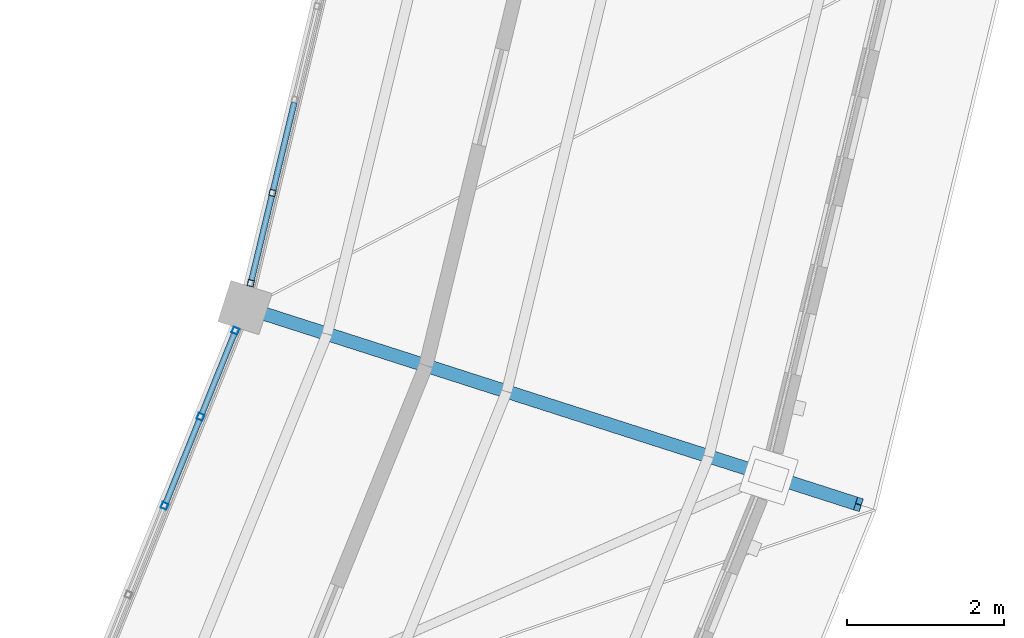
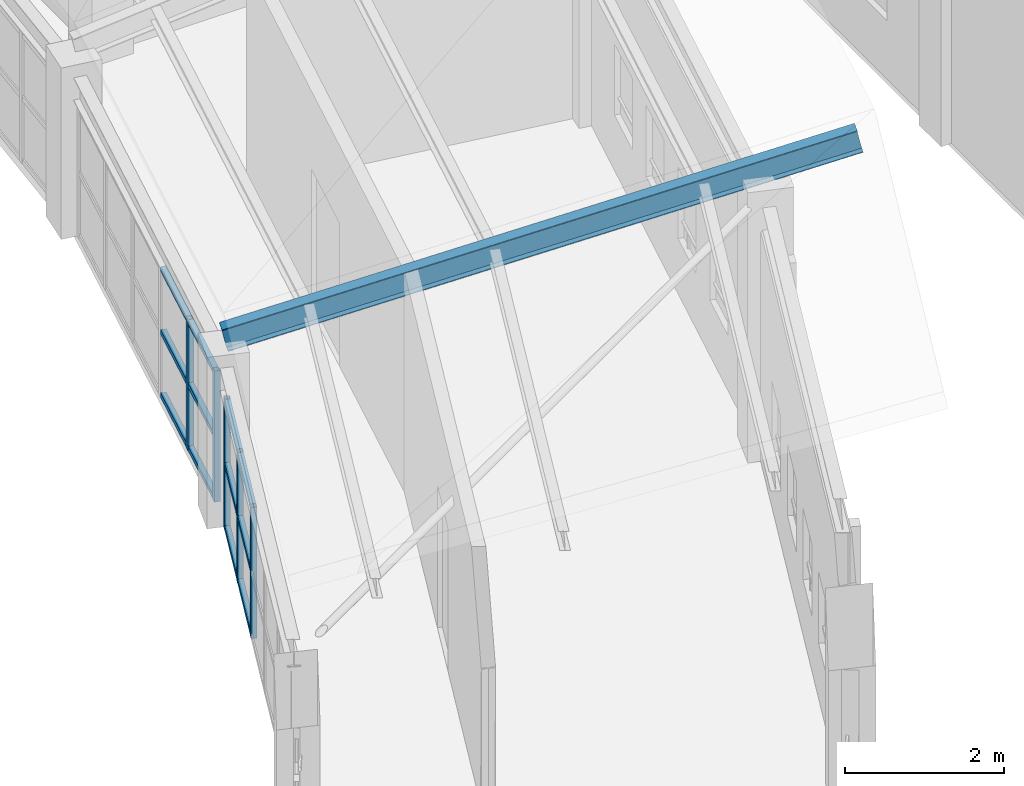
# One storey, part 89 of 149: 18 members, 2 elements without a shape of their own.
"""IFC4 building model written with IfcOpenShell, lengths in metres."""

from ifc_helpers import new_model, si_unit, direction, frame, origin, origin_2d, place, context, subcontext, project, spatial, hollow_rectangle, i_section, extrude, material, material_profile, profile_set, type_object, element, aggregate, save


model = new_model("IFC4")

# Units and contexts
model_context = context("Model", 3, precision=1e-05, world=origin(), true_north=direction((0.0, 1.0)))
body_context = subcontext(model_context, "Body", "Model", "MODEL_VIEW")
ifc_project = project(units=[si_unit("LENGTHUNIT", "METRE"), si_unit("AREAUNIT", "SQUARE_METRE"), si_unit("VOLUMEUNIT", "CUBIC_METRE"), si_unit("PLANEANGLEUNIT", "RADIAN"), si_unit("MASSUNIT", "GRAM", prefix="KILO")], contexts=[model_context])

# Site, building, storey
site_placement = place(None, origin())
site = spatial("IfcSite", under=ifc_project, at=site_placement, CompositionType="ELEMENT")
building_placement = place(site_placement, origin())
building = spatial("IfcBuilding", under=site, at=building_placement, Name="Celadon Cloister-Ring School", CompositionType="ELEMENT")
storey_placement = place(building_placement, frame((0.0, 0.0, 12.5)))
storey = spatial("IfcBuildingStorey", under=building, at=storey_placement, Name="L03", CompositionType="ELEMENT", Elevation=12.5)

# Curtain wall, members
ifc_material_1 = material(Name="Aluminium EN AW-6063 T6", Category="aluminium")
curtain_wall_type = type_object("IfcCurtainWallType", Name="CW-02", PredefinedType="USERDEFINED", material=ifc_material_1)
curtain_wall_1_placement = place(storey_placement, origin())
curtain_wall_1 = element("IfcCurtainWall", 1, at=curtain_wall_1_placement, inside=storey, type_object=curtain_wall_type, Name="Curtain Wall 0069", ObjectType="CURTAIN WALL", PredefinedType="USERDEFINED")
ifc_material_2 = material(Name="Aluminium EN AW-6063 T6", Category="aluminium")
ifc_material_profile_1 = material_profile(ifc_material_2, hollow_rectangle(XDim=0.080078125, YDim=0.080078125, WallThickness=0.00390625, at=origin_2d()), Name="RHS80X80X4")
ifc_profile_set_1 = profile_set([ifc_material_profile_1], Name="Aluminium EN AW-6063 T6")
member_type_1 = type_object("IfcMemberType", Name="CM-03", PredefinedType="MULLION", material=ifc_profile_set_1)
member_1_placement = place(storey_placement, frame((128.82861328125, 42.732421875, 0.0), z_axis=(0.0, 0.0, 1.0), x_axis=(-0.927036236266, 0.37497175447, 0.0)))
member_1 = element("IfcMember", 2, at=member_1_placement, type_object=member_type_1, Name="CW-02 mullion 4", PredefinedType="MULLION", context=body_context, shape_type="SweptSolid", body=[
    extrude(hollow_rectangle(XDim=0.080078125, YDim=0.080078125, WallThickness=0.00390625, at=origin_2d()), origin(), (0.0, 0.0, 1.0), 2.02001953125),
])
member_2_placement = place(storey_placement, frame((129.286865234375, 43.865234375, 0.0), z_axis=(0.0, 0.0, 1.0), x_axis=(-0.927036236266, 0.37497175447, 0.0)))
member_2 = element("IfcMember", 3, at=member_2_placement, type_object=member_type_1, Name="CW-02 mullion 5", PredefinedType="MULLION", context=body_context, shape_type="SweptSolid", body=[
    extrude(hollow_rectangle(XDim=0.080078125, YDim=0.080078125, WallThickness=0.00390625, at=origin_2d()), origin(), (0.0, 0.0, 1.0), 2.02001953125),
])
member_3_placement = place(storey_placement, frame((129.72998046875, 44.9609375, 0.0), z_axis=(0.0, 0.0, 1.0), x_axis=(-0.927036236266, 0.37497175447, 0.0)))
member_3 = element("IfcMember", 4, at=member_3_placement, type_object=member_type_1, Name="CW-02 mullion 6", PredefinedType="MULLION", context=body_context, shape_type="SweptSolid", body=[
    extrude(hollow_rectangle(XDim=0.080078125, YDim=0.080078125, WallThickness=0.00390625, at=origin_2d()), origin(), (0.0, 0.0, 1.0), 2.02001953125),
])

curtain_wall_2_placement = place(storey_placement, origin())
curtain_wall_2 = element("IfcCurtainWall", 5, at=curtain_wall_2_placement, inside=storey, type_object=curtain_wall_type, Name="Curtain Wall 0070", ObjectType="CURTAIN WALL", PredefinedType="USERDEFINED")
member_4_placement = place(storey_placement, frame((129.92431640625, 45.56591796875, 0.0), z_axis=(0.0, 0.0, 1.0), x_axis=(-0.972214668757, 0.234091088797, 0.0)))
member_4 = element("IfcMember", 6, at=member_4_placement, type_object=member_type_1, Name="CW-02 mullion 1", PredefinedType="MULLION", context=body_context, shape_type="SweptSolid", body=[
    extrude(hollow_rectangle(XDim=0.080078125, YDim=0.080078125, WallThickness=0.00390625, at=origin_2d()), origin(), (0.0, 0.0, 1.0), 2.02001953125),
])
member_5_placement = place(storey_placement, frame((130.200927734375, 46.71484375, 0.0), z_axis=(0.0, 0.0, 1.0), x_axis=(-0.972214668757, 0.234091088797, 0.0)))
member_5 = element("IfcMember", 7, at=member_5_placement, type_object=member_type_1, Name="CW-02 mullion 2", PredefinedType="MULLION", context=body_context, shape_type="SweptSolid", body=[
    extrude(hollow_rectangle(XDim=0.080078125, YDim=0.080078125, WallThickness=0.00390625, at=origin_2d()), origin(), (0.0, 0.0, 1.0), 2.02001953125),
])

# Member
ifc_material_3 = material(Name="Aluminium EN AW-6063 T6", Category="aluminium")
ifc_material_profile_2 = material_profile(ifc_material_3, hollow_rectangle(XDim=0.074951171875, YDim=0.074951171875, WallThickness=0.00390625, at=origin_2d()), Name="RHS75X75X4")
ifc_profile_set_2 = profile_set([ifc_material_profile_2], Name="Aluminium EN AW-6063 T6")
member_type_2 = type_object("IfcMemberType", Name="CTM-03", PredefinedType="USERDEFINED", material=ifc_profile_set_2)
member_6_placement = place(storey_placement, frame((128.843505859375, 42.76953125, 0.03759765625), z_axis=(0.375000300919, 0.927024689159, 0.0), x_axis=(-0.927024689159, 0.375000300919, 0.0)))
member_6 = element("IfcMember", 8, at=member_6_placement, type_object=member_type_2, Name="CW-02 transom 4.1", ObjectType="TRANSOM", PredefinedType="USERDEFINED", context=body_context, shape_type="SweptSolid", body=[
    extrude(hollow_rectangle(XDim=0.074951171875, YDim=0.074951171875, WallThickness=0.00390625, at=origin_2d()), origin(), (0.0, 0.0, 1.0), 1.141845703125),
])

member_7_placement = place(storey_placement, frame((128.843505859375, 42.76953125, 1.010009765625), z_axis=(0.375000300919, 0.927024689159, 0.0), x_axis=(-0.927024689159, 0.375000300919, 0.0)))
member_7 = element("IfcMember", 9, at=member_7_placement, type_object=member_type_2, Name="CW-02 transom 4.2", ObjectType="TRANSOM", PredefinedType="USERDEFINED", context=body_context, shape_type="SweptSolid", body=[
    extrude(hollow_rectangle(XDim=0.074951171875, YDim=0.074951171875, WallThickness=0.00390625, at=origin_2d()), origin(), (0.0, 0.0, 1.0), 1.141845703125),
])

member_8_placement = place(storey_placement, frame((128.843505859375, 42.76953125, 1.982421875), z_axis=(0.375000300919, 0.927024689159, 0.0), x_axis=(-0.927024689159, 0.375000300919, 0.0)))
member_8 = element("IfcMember", 10, at=member_8_placement, type_object=member_type_2, Name="CW-02 transom 4.3", ObjectType="TRANSOM", PredefinedType="USERDEFINED", context=body_context, shape_type="SweptSolid", body=[
    extrude(hollow_rectangle(XDim=0.074951171875, YDim=0.074951171875, WallThickness=0.00390625, at=origin_2d()), origin(), (0.0, 0.0, 1.0), 1.141845703125),
])

member_9_placement = place(storey_placement, frame((129.3017578125, 43.90234375, 0.03759765625), z_axis=(0.375093039512, 0.926987169118, 0.0), x_axis=(-0.926987169118, 0.375093039512, 0.0)))
member_9 = element("IfcMember", 11, at=member_9_placement, type_object=member_type_2, Name="CW-02 transom 5.1", ObjectType="TRANSOM", PredefinedType="USERDEFINED", context=body_context, shape_type="SweptSolid", body=[
    extrude(hollow_rectangle(XDim=0.074951171875, YDim=0.074951171875, WallThickness=0.00390625, at=origin_2d()), origin(), (0.0, 0.0, 1.0), 1.10205078125),
])

member_10_placement = place(storey_placement, frame((129.3017578125, 43.90234375, 1.010009765625), z_axis=(0.375093039512, 0.926987169118, 0.0), x_axis=(-0.926987169118, 0.375093039512, 0.0)))
member_10 = element("IfcMember", 12, at=member_10_placement, type_object=member_type_2, Name="CW-02 transom 5.2", ObjectType="TRANSOM", PredefinedType="USERDEFINED", context=body_context, shape_type="SweptSolid", body=[
    extrude(hollow_rectangle(XDim=0.074951171875, YDim=0.074951171875, WallThickness=0.00390625, at=origin_2d()), origin(), (0.0, 0.0, 1.0), 1.10205078125),
])

member_11_placement = place(storey_placement, frame((129.3017578125, 43.90234375, 1.982421875), z_axis=(0.375093039512, 0.926987169118, 0.0), x_axis=(-0.926987169118, 0.375093039512, 0.0)))
member_11 = element("IfcMember", 13, at=member_11_placement, type_object=member_type_2, Name="CW-02 transom 5.3", ObjectType="TRANSOM", PredefinedType="USERDEFINED", context=body_context, shape_type="SweptSolid", body=[
    extrude(hollow_rectangle(XDim=0.074951171875, YDim=0.074951171875, WallThickness=0.00390625, at=origin_2d()), origin(), (0.0, 0.0, 1.0), 1.10205078125),
])

aggregate(curtain_wall_1, [member_1, member_2, member_3, member_6, member_7, member_8, member_9, member_10, member_11])

member_12_placement = place(storey_placement, frame((129.933837890625, 45.604736328125, 0.03759765625), z_axis=(0.233976270921, 0.972242307579, 0.0), x_axis=(-0.972242307579, 0.233976270921, 0.0)))
member_12 = element("IfcMember", 14, at=member_12_placement, type_object=member_type_2, Name="CW-02 transom 1.1", ObjectType="TRANSOM", PredefinedType="USERDEFINED", context=body_context, shape_type="SweptSolid", body=[
    extrude(hollow_rectangle(XDim=0.074951171875, YDim=0.074951171875, WallThickness=0.00390625, at=origin_2d()), origin(), (0.0, 0.0, 1.0), 1.101806640625),
])

member_13_placement = place(storey_placement, frame((129.933837890625, 45.604736328125, 1.010009765625), z_axis=(0.233976270921, 0.972242307579, 0.0), x_axis=(-0.972242307579, 0.233976270921, 0.0)))
member_13 = element("IfcMember", 15, at=member_13_placement, type_object=member_type_2, Name="CW-02 transom 1.2", ObjectType="TRANSOM", PredefinedType="USERDEFINED", context=body_context, shape_type="SweptSolid", body=[
    extrude(hollow_rectangle(XDim=0.074951171875, YDim=0.074951171875, WallThickness=0.00390625, at=origin_2d()), origin(), (0.0, 0.0, 1.0), 1.101806640625),
])

member_14_placement = place(storey_placement, frame((129.933837890625, 45.604736328125, 1.982421875), z_axis=(0.233976270921, 0.972242307579, 0.0), x_axis=(-0.972242307579, 0.233976270921, 0.0)))
member_14 = element("IfcMember", 16, at=member_14_placement, type_object=member_type_2, Name="CW-02 transom 1.3", ObjectType="TRANSOM", PredefinedType="USERDEFINED", context=body_context, shape_type="SweptSolid", body=[
    extrude(hollow_rectangle(XDim=0.074951171875, YDim=0.074951171875, WallThickness=0.00390625, at=origin_2d()), origin(), (0.0, 0.0, 1.0), 1.101806640625),
])

member_15_placement = place(storey_placement, frame((130.21044921875, 46.753662109375, 0.03759765625), z_axis=(0.233922839272, 0.97225516469, 0.0), x_axis=(-0.97225516469, 0.233922839272, 0.0)))
member_15 = element("IfcMember", 17, at=member_15_placement, type_object=member_type_2, Name="CW-02 transom 2.1", ObjectType="TRANSOM", PredefinedType="USERDEFINED", context=body_context, shape_type="SweptSolid", body=[
    extrude(hollow_rectangle(XDim=0.074951171875, YDim=0.074951171875, WallThickness=0.00390625, at=origin_2d()), origin(), (0.0, 0.0, 1.0), 1.141845703125),
])

member_16_placement = place(storey_placement, frame((130.21044921875, 46.753662109375, 1.010009765625), z_axis=(0.233922839272, 0.97225516469, 0.0), x_axis=(-0.97225516469, 0.233922839272, 0.0)))
member_16 = element("IfcMember", 18, at=member_16_placement, type_object=member_type_2, Name="CW-02 transom 2.2", ObjectType="TRANSOM", PredefinedType="USERDEFINED", context=body_context, shape_type="SweptSolid", body=[
    extrude(hollow_rectangle(XDim=0.074951171875, YDim=0.074951171875, WallThickness=0.00390625, at=origin_2d()), origin(), (0.0, 0.0, 1.0), 1.141845703125),
])

member_17_placement = place(storey_placement, frame((130.21044921875, 46.753662109375, 1.982421875), z_axis=(0.233922839272, 0.97225516469, 0.0), x_axis=(-0.97225516469, 0.233922839272, 0.0)))
member_17 = element("IfcMember", 19, at=member_17_placement, type_object=member_type_2, Name="CW-02 transom 2.3", ObjectType="TRANSOM", PredefinedType="USERDEFINED", context=body_context, shape_type="SweptSolid", body=[
    extrude(hollow_rectangle(XDim=0.074951171875, YDim=0.074951171875, WallThickness=0.00390625, at=origin_2d()), origin(), (0.0, 0.0, 1.0), 1.141845703125),
])

aggregate(curtain_wall_2, [member_4, member_5, member_12, member_13, member_14, member_15, member_16, member_17])

ifc_material_4 = material(Name="Structural steel S355JR", Category="steel")
ifc_material_profile_3 = material_profile(ifc_material_4, i_section(OverallWidth=0.1708984375, OverallDepth=0.35498046875, WebThickness=0.007080078125, FlangeThickness=0.01171875, at=origin_2d()), Name="W360X51")
ifc_profile_set_3 = profile_set([ifc_material_profile_3], Name="Structural steel S355JR")
member_type_3 = type_object("IfcMemberType", Name="MR-05", PredefinedType="RAFTER", material=ifc_profile_set_3)
member_18_placement = place(storey_placement, frame((129.85009765625, 45.256103515625, 2.72607421875), z_axis=(0.928722429722, -0.297977575791, 0.220644539603), x_axis=(0.30550701366, 0.95218982593, 0.0)))
element("IfcMember", 20, at=member_18_placement, inside=storey, type_object=member_type_3, Name="Structural Member 0054", PredefinedType="RAFTER", context=body_context, shape_type="SweptSolid", body=[
    extrude(i_section(OverallWidth=0.1708984375, OverallDepth=0.35498046875, WebThickness=0.007080078125, FlangeThickness=0.01171875, at=origin_2d()), origin(), (0.0, 0.0, 1.0), 8.406982421875),
])

save(model, "model.ifc")
